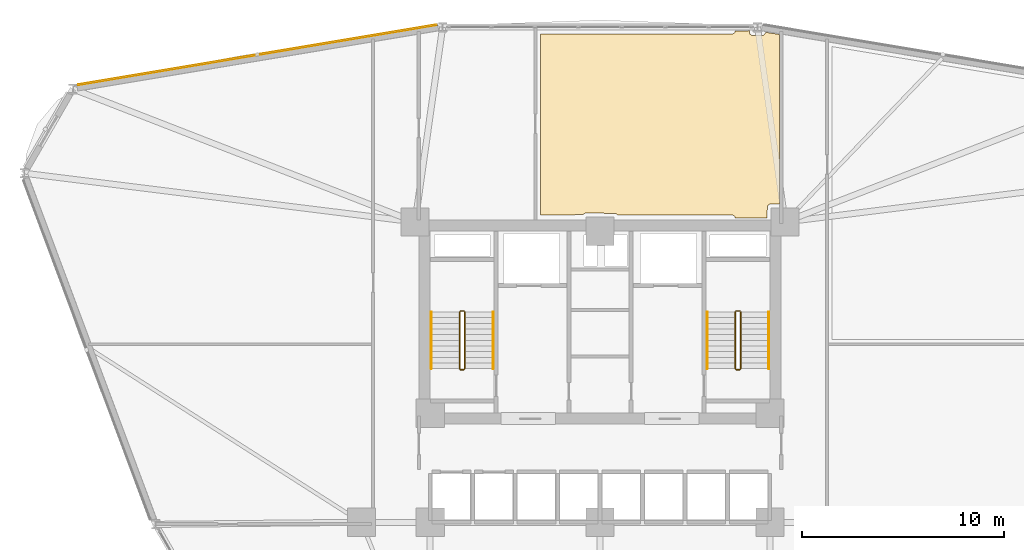
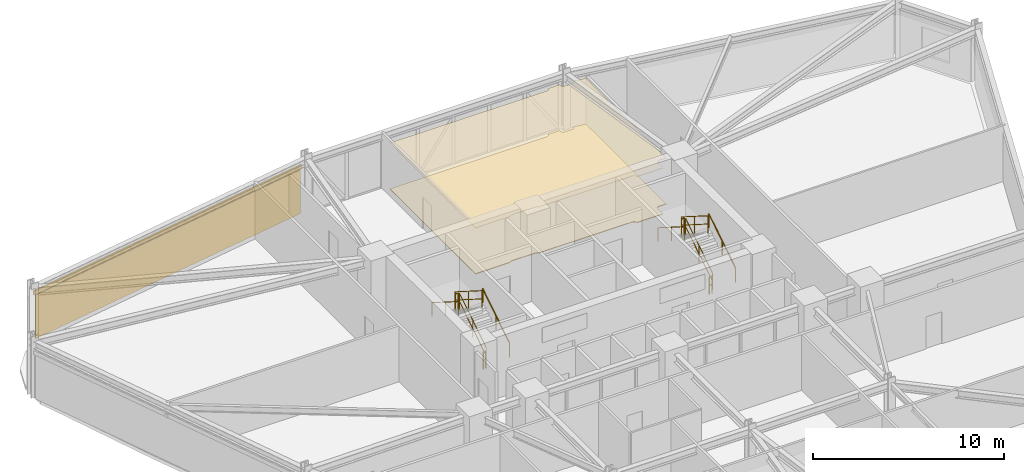
# One storey, part 21 of 22: 12 railings, 3 coverings, 1 shading device.
"""IFC4 building model written with IfcOpenShell, lengths in metres."""

from ifc_helpers import new_model, si_unit, derived_unit, direction, frame, origin, origin_2d, place, context, subcontext, project, spatial, polyline, hollow_rectangle, circle, outline, extrude, source, transform, mapped, material, layer, layer_set, material_profile, profile_set, type_object, element, save


model = new_model("IFC4")

# Units and contexts
model_context = context("Model", 3, precision=1e-05, world=origin(), true_north=direction((0.0, 1.0)))
body_context = subcontext(model_context, "Body", "Model", "MODEL_VIEW")
ifc_project = project(units=[si_unit("LENGTHUNIT", "METRE"), si_unit("AREAUNIT", "SQUARE_METRE"), si_unit("VOLUMEUNIT", "CUBIC_METRE"), si_unit("PLANEANGLEUNIT", "RADIAN"), si_unit("MASSUNIT", "GRAM", prefix="KILO"), derived_unit("THERMALTRANSMITTANCEUNIT", [(si_unit("POWERUNIT", "WATT"), 1), (si_unit("LENGTHUNIT", "METRE"), -2), (si_unit("THERMODYNAMICTEMPERATUREUNIT", "KELVIN"), -1)])], contexts=[model_context])

# Site, building, storey
site_placement = place(None, origin())
site = spatial("IfcSite", under=ifc_project, at=site_placement, CompositionType="ELEMENT")
building_placement = place(site_placement, origin())
building = spatial("IfcBuilding", under=site, at=building_placement, Name="Korsvarv Bourse and Concert Hall", CompositionType="ELEMENT")
storey_placement = place(building_placement, frame((0.0, 0.0, 55.199951171875)))
storey = spatial("IfcBuildingStorey", under=building, at=storey_placement, Name="L13", CompositionType="ELEMENT", Elevation=55.199951171875)

# Coverings
ifc_material_1 = material(Name="Perforated mineral-wool and birch acoustic baffle ceiling", Category="wood")
ifc_layer_1 = layer(ifc_material_1, 0.02490234375)
ifc_layer_set_1 = layer_set([ifc_layer_1], Name="Perforated mineral-wool and birch acoustic baffle ceiling")
covering_type_1 = type_object("IfcCoveringType", Name="COV-CEIL-1", PredefinedType="CEILING", material=ifc_layer_set_1)
covering_1_placement = place(storey_placement, frame((0.0, 0.0, 2.93994140625)))
element("IfcCovering", 1, at=covering_1_placement, inside=storey, type_object=covering_type_1, Name="L13 acoustic baffle ceiling 3", PredefinedType="CEILING", context=body_context, shape_type="SweptSolid", body=[
    extrude(outline(polyline([(33.050048828125, 47.60009765625), (33.050048828125, 56.549560546875), (42.510009765625, 56.549560546875), (42.546142578125, 56.55322265625), (42.5810546875, 56.564208984375), (42.61279296875, 56.581787109375), (42.640380859375, 56.60546875), (42.66259765625, 56.63427734375), (42.6787109375, 56.6669921875), (42.68798828125, 56.7021484375), (43.3828125, 56.70947265625), (43.3828125, 56.652587890625), (43.385986328125, 56.617919921875), (43.39599609375, 56.584716796875), (43.412109375, 56.5537109375), (43.43408203125, 56.526611328125), (43.460693359375, 56.50439453125), (43.490966796875, 56.4873046875), (43.52392578125, 56.476806640625), (43.55859375, 56.472412109375), (43.99267578125, 56.46240234375), (44.027099609375, 56.465087890625), (44.060791015625, 56.474365234375), (44.091796875, 56.48974609375), (44.119384765625, 56.5107421875), (44.142333984375, 56.536865234375), (44.159912109375, 56.56689453125), (44.17138671875, 56.599609375), (44.176513671875, 56.6337890625), (44.870849609375, 56.525146484375), (44.8701171875, 48.139892578125), (44.449951171875, 48.139892578125), (44.415283203125, 48.13671875), (44.381591796875, 48.12646484375), (44.350830078125, 48.110107421875), (44.323486328125, 48.088134765625), (44.30126953125, 48.061279296875), (44.284423828125, 48.03076171875), (44.27392578125, 47.997314453125), (44.27001953125, 47.962646484375), (44.2626953125, 47.43994140625), (42.688720703125, 47.43994140625), (42.68408203125, 47.465087890625), (42.671630859375, 47.499267578125), (42.65234375, 47.5302734375), (42.627197265625, 47.556640625), (42.597412109375, 47.577392578125), (42.56396484375, 47.591796875), (42.5283203125, 47.59912109375), (36.859619140625, 47.60009765625), (36.837646484375, 47.626708984375), (36.810791015625, 47.649169921875), (36.77978515625, 47.666015625), (36.74609375, 47.67626953125), (36.711181640625, 47.679931640625), (35.30126953125, 47.68994140625), (35.266357421875, 47.686767578125), (35.232421875, 47.677001953125), (35.201416015625, 47.66064453125), (35.174072265625, 47.638427734375), (35.1513671875, 47.611572265625), (33.050048828125, 47.60009765625)])), origin(), (0.0, 0.0, 1.0), 0.025146484375),
])
ifc_material_2 = material(Name="Warm iron-oxide extruded terracotta rainscreen tile", Category="ceramic")
ifc_layer_2 = layer(ifc_material_2, 0.044921875)
ifc_layer_set_2 = layer_set([ifc_layer_2], Name="Warm iron-oxide extruded terracotta rainscreen tile")
covering_type_2 = type_object("IfcCoveringType", Name="COV-CLD-TC", PredefinedType="CLADDING", material=ifc_layer_set_2)
covering_2_placement = place(storey_placement, origin())
element("IfcCovering", 2, at=covering_2_placement, inside=storey, type_object=covering_type_2, Name="L13 fluted terracotta cladding panel EW-L13-B04", PredefinedType="CLADDING", context=body_context, shape_type="SweptSolid", body=[
    extrude(outline(polyline([(27.897216796875, 56.97314453125), (10.204345703125, 54.01123046875), (10.197021484375, 54.055419921875), (27.8896484375, 57.017578125), (27.897216796875, 56.97314453125)])), origin(), (0.0, 0.0, 1.0), 2.7900390625),
])
ifc_material_3 = material(Name="Calcium-sulphate raised access trading floor with Nordic oak top", Category="wood")
ifc_layer_3 = layer(ifc_material_3, 0.0400390625)
ifc_layer_set_3 = layer_set([ifc_layer_3], Name="Calcium-sulphate raised access trading floor with Nordic oak top")
covering_type_3 = type_object("IfcCoveringType", Name="COV-FLOR-1", PredefinedType="FLOORING", material=ifc_layer_set_3)
covering_3_placement = place(storey_placement, origin())
element("IfcCovering", 3, at=covering_3_placement, inside=storey, type_object=covering_type_3, Name="L13 raised access oak floor finish 3", PredefinedType="FLOORING", context=body_context, shape_type="SweptSolid", body=[
    extrude(outline(polyline([(33.050048828125, 47.60009765625), (33.050048828125, 56.549560546875), (42.510009765625, 56.549560546875), (42.546142578125, 56.55322265625), (42.5810546875, 56.564208984375), (42.61279296875, 56.581787109375), (42.640380859375, 56.60546875), (42.66259765625, 56.63427734375), (42.6787109375, 56.6669921875), (42.68798828125, 56.7021484375), (43.3828125, 56.70947265625), (43.3828125, 56.652587890625), (43.385986328125, 56.617919921875), (43.39599609375, 56.584716796875), (43.412109375, 56.5537109375), (43.43408203125, 56.526611328125), (43.460693359375, 56.50439453125), (43.490966796875, 56.4873046875), (43.52392578125, 56.476806640625), (43.55859375, 56.472412109375), (43.99267578125, 56.46240234375), (44.027099609375, 56.465087890625), (44.060791015625, 56.474365234375), (44.091796875, 56.48974609375), (44.119384765625, 56.5107421875), (44.142333984375, 56.536865234375), (44.159912109375, 56.56689453125), (44.17138671875, 56.599609375), (44.176513671875, 56.6337890625), (44.870849609375, 56.525146484375), (44.8701171875, 48.139892578125), (44.449951171875, 48.139892578125), (44.415283203125, 48.13671875), (44.381591796875, 48.12646484375), (44.350830078125, 48.110107421875), (44.323486328125, 48.088134765625), (44.30126953125, 48.061279296875), (44.284423828125, 48.03076171875), (44.27392578125, 47.997314453125), (44.27001953125, 47.962646484375), (44.2626953125, 47.43994140625), (42.688720703125, 47.43994140625), (42.68408203125, 47.465087890625), (42.671630859375, 47.499267578125), (42.65234375, 47.5302734375), (42.627197265625, 47.556640625), (42.597412109375, 47.577392578125), (42.56396484375, 47.591796875), (42.5283203125, 47.59912109375), (36.859619140625, 47.60009765625), (36.837646484375, 47.626708984375), (36.810791015625, 47.649169921875), (36.77978515625, 47.666015625), (36.74609375, 47.67626953125), (36.711181640625, 47.679931640625), (35.30126953125, 47.68994140625), (35.266357421875, 47.686767578125), (35.232421875, 47.677001953125), (35.201416015625, 47.66064453125), (35.174072265625, 47.638427734375), (35.1513671875, 47.611572265625), (33.050048828125, 47.60009765625)])), origin(), (0.0, 0.0, 1.0), 0.0400390625),
])

# Railings
ifc_material_4 = material(Name="Painted Steel S355 stair well guardrail", Category="steel")
railing_type_1 = type_object("IfcRailingType", Name="RL-ST-GRD", PredefinedType="GUARDRAIL", material=ifc_material_4)
railing_1_placement = place(storey_placement, frame((29.31005859375, 40.0, 0.17724609375)))
element("IfcRailing", 4, at=railing_1_placement, inside=storey, type_object=railing_type_1, Name="L13 ST-T1 stair guard 1", PredefinedType="GUARDRAIL", context=body_context, shape_type="SweptSolid", body=[
    extrude(circle(Radius=0.02392578125, at=origin_2d()), frame((0.0, 0.0, 1.076171875), z_axis=(0.0, 0.844908973607, 0.534910110503), x_axis=(-1.0, 0.0, 0.0)), (0.0, 0.0, 1.0), 3.31396484375),
    extrude(circle(Radius=0.02392578125, at=origin_2d()), frame((0.0, 0.0, 0.550048828125), z_axis=(0.0, 0.844908973607, 0.534910110503), x_axis=(-1.0, 0.0, 0.0)), (0.0, 0.0, 1.0), 3.31396484375),
    extrude(circle(Radius=0.02099609375, at=origin_2d()), origin(), (0.0, 0.0, 1.0), 1.052001953125),
    extrude(circle(Radius=0.02099609375, at=origin_2d()), frame((0.0, 1.39990234375, 0.88623046875)), (0.0, 0.0, 1.0), 1.052001953125),
    extrude(circle(Radius=0.02099609375, at=origin_2d()), frame((0.0, 2.800048828125, 1.772705078125)), (0.0, 0.0, 1.0), 1.052001953125),
])
railing_2_placement = place(storey_placement, frame((29.260009765625, 42.85009765625, 1.949951171875)))
element("IfcRailing", 5, at=railing_2_placement, inside=storey, type_object=railing_type_1, Name="L13 ST-T1 stair guard 2", PredefinedType="GUARDRAIL", context=body_context, shape_type="SweptSolid", body=[
    extrude(circle(Radius=0.02392578125, at=origin_2d()), frame((0.0, 0.0, 1.076171875), z_axis=(-1.0, 0.0, 0.0), x_axis=(0.0, -1.0, 0.0)), (0.0, 0.0, 1.0), 0.159912109375),
    extrude(circle(Radius=0.02392578125, at=origin_2d()), frame((0.0, 0.0, 0.550048828125), z_axis=(-1.0, 0.0, 0.0), x_axis=(0.0, -1.0, 0.0)), (0.0, 0.0, 1.0), 0.159912109375),
    extrude(circle(Radius=0.02099609375, at=origin_2d()), origin(), (0.0, 0.0, 1.0), 1.052001953125),
    extrude(circle(Radius=0.02099609375, at=origin_2d()), frame((-0.159912109375, 0.0, 0.0)), (0.0, 0.0, 1.0), 1.052001953125),
])
railing_3_placement = place(storey_placement, frame((29.050048828125, 42.800048828125, 2.12744140625)))
element("IfcRailing", 6, at=railing_3_placement, inside=storey, type_object=railing_type_1, Name="L13 ST-T1 stair guard 3", PredefinedType="GUARDRAIL", context=body_context, shape_type="SweptSolid", body=[
    extrude(circle(Radius=0.02392578125, at=origin_2d()), frame((0.0, 0.0, 1.076171875), z_axis=(0.0, -0.844908973607, 0.534910110503), x_axis=(1.0, 0.0, 0.0)), (0.0, 0.0, 1.0), 3.31396484375),
    extrude(circle(Radius=0.02392578125, at=origin_2d()), frame((0.0, 0.0, 0.550048828125), z_axis=(0.0, -0.844908973607, 0.534910110503), x_axis=(1.0, 0.0, 0.0)), (0.0, 0.0, 1.0), 3.31396484375),
    extrude(circle(Radius=0.02099609375, at=origin_2d()), origin(), (0.0, 0.0, 1.0), 1.052001953125),
    extrude(circle(Radius=0.02099609375, at=origin_2d()), frame((0.0, -1.39990234375, 0.88623046875)), (0.0, 0.0, 1.0), 1.052001953125),
    extrude(circle(Radius=0.02099609375, at=origin_2d()), frame((0.0, -2.800048828125, 1.772705078125)), (0.0, 0.0, 1.0), 1.052001953125),
])
railing_4_placement = place(storey_placement, frame((29.260009765625, 39.949951171875, 0.0)))
element("IfcRailing", 7, at=railing_4_placement, inside=storey, type_object=railing_type_1, Name="L13 ST-T1 stair guard 4", PredefinedType="GUARDRAIL", context=body_context, shape_type="SweptSolid", body=[
    extrude(circle(Radius=0.02392578125, at=origin_2d()), frame((0.0, 0.0, 1.076171875), z_axis=(-1.0, 0.0, 0.0), x_axis=(0.0, -1.0, 0.0)), (0.0, 0.0, 1.0), 0.159912109375),
    extrude(circle(Radius=0.02392578125, at=origin_2d()), frame((0.0, 0.0, 0.550048828125), z_axis=(-1.0, 0.0, 0.0), x_axis=(0.0, -1.0, 0.0)), (0.0, 0.0, 1.0), 0.159912109375),
    extrude(circle(Radius=0.02099609375, at=origin_2d()), origin(), (0.0, 0.0, 1.0), 1.052001953125),
    extrude(circle(Radius=0.02099609375, at=origin_2d()), frame((-0.159912109375, 0.0, 0.0)), (0.0, 0.0, 1.0), 1.052001953125),
])
railing_5_placement = place(storey_placement, frame((42.949951171875, 40.0, 0.17724609375)))
element("IfcRailing", 8, at=railing_5_placement, inside=storey, type_object=railing_type_1, Name="L13 ST-T2 stair guard 1", PredefinedType="GUARDRAIL", context=body_context, shape_type="SweptSolid", body=[
    extrude(circle(Radius=0.02392578125, at=origin_2d()), frame((0.0, 0.0, 1.076171875), z_axis=(0.0, 0.844908973607, 0.534910110503), x_axis=(-1.0, 0.0, 0.0)), (0.0, 0.0, 1.0), 3.31396484375),
    extrude(circle(Radius=0.02392578125, at=origin_2d()), frame((0.0, 0.0, 0.550048828125), z_axis=(0.0, 0.844908973607, 0.534910110503), x_axis=(-1.0, 0.0, 0.0)), (0.0, 0.0, 1.0), 3.31396484375),
    extrude(circle(Radius=0.02099609375, at=origin_2d()), origin(), (0.0, 0.0, 1.0), 1.052001953125),
    extrude(circle(Radius=0.02099609375, at=origin_2d()), frame((0.0, 1.39990234375, 0.88623046875)), (0.0, 0.0, 1.0), 1.052001953125),
    extrude(circle(Radius=0.02099609375, at=origin_2d()), frame((0.0, 2.800048828125, 1.772705078125)), (0.0, 0.0, 1.0), 1.052001953125),
])
railing_6_placement = place(storey_placement, frame((42.89990234375, 42.85009765625, 1.949951171875)))
element("IfcRailing", 9, at=railing_6_placement, inside=storey, type_object=railing_type_1, Name="L13 ST-T2 stair guard 2", PredefinedType="GUARDRAIL", context=body_context, shape_type="SweptSolid", body=[
    extrude(circle(Radius=0.02392578125, at=origin_2d()), frame((0.0, 0.0, 1.076171875), z_axis=(-1.0, 0.0, 0.0), x_axis=(0.0, -1.0, 0.0)), (0.0, 0.0, 1.0), 0.159912109375),
    extrude(circle(Radius=0.02392578125, at=origin_2d()), frame((0.0, 0.0, 0.550048828125), z_axis=(-1.0, 0.0, 0.0), x_axis=(0.0, -1.0, 0.0)), (0.0, 0.0, 1.0), 0.159912109375),
    extrude(circle(Radius=0.02099609375, at=origin_2d()), origin(), (0.0, 0.0, 1.0), 1.052001953125),
    extrude(circle(Radius=0.02099609375, at=origin_2d()), frame((-0.159912109375, 0.0, 0.0)), (0.0, 0.0, 1.0), 1.052001953125),
])
railing_7_placement = place(storey_placement, frame((42.68994140625, 42.800048828125, 2.12744140625)))
element("IfcRailing", 10, at=railing_7_placement, inside=storey, type_object=railing_type_1, Name="L13 ST-T2 stair guard 3", PredefinedType="GUARDRAIL", context=body_context, shape_type="SweptSolid", body=[
    extrude(circle(Radius=0.02392578125, at=origin_2d()), frame((0.0, 0.0, 1.076171875), z_axis=(0.0, -0.844908973607, 0.534910110503), x_axis=(1.0, 0.0, 0.0)), (0.0, 0.0, 1.0), 3.31396484375),
    extrude(circle(Radius=0.02392578125, at=origin_2d()), frame((0.0, 0.0, 0.550048828125), z_axis=(0.0, -0.844908973607, 0.534910110503), x_axis=(1.0, 0.0, 0.0)), (0.0, 0.0, 1.0), 3.31396484375),
    extrude(circle(Radius=0.02099609375, at=origin_2d()), origin(), (0.0, 0.0, 1.0), 1.052001953125),
    extrude(circle(Radius=0.02099609375, at=origin_2d()), frame((0.0, -1.39990234375, 0.88623046875)), (0.0, 0.0, 1.0), 1.052001953125),
    extrude(circle(Radius=0.02099609375, at=origin_2d()), frame((0.0, -2.800048828125, 1.772705078125)), (0.0, 0.0, 1.0), 1.052001953125),
])
railing_8_placement = place(storey_placement, frame((42.89990234375, 39.949951171875, 0.0)))
element("IfcRailing", 11, at=railing_8_placement, inside=storey, type_object=railing_type_1, Name="L13 ST-T2 stair guard 4", PredefinedType="GUARDRAIL", context=body_context, shape_type="SweptSolid", body=[
    extrude(circle(Radius=0.02392578125, at=origin_2d()), frame((0.0, 0.0, 1.076171875), z_axis=(-1.0, 0.0, 0.0), x_axis=(0.0, -1.0, 0.0)), (0.0, 0.0, 1.0), 0.159912109375),
    extrude(circle(Radius=0.02392578125, at=origin_2d()), frame((0.0, 0.0, 0.550048828125), z_axis=(-1.0, 0.0, 0.0), x_axis=(0.0, -1.0, 0.0)), (0.0, 0.0, 1.0), 0.159912109375),
    extrude(circle(Radius=0.02099609375, at=origin_2d()), origin(), (0.0, 0.0, 1.0), 1.052001953125),
    extrude(circle(Radius=0.02099609375, at=origin_2d()), frame((-0.159912109375, 0.0, 0.0)), (0.0, 0.0, 1.0), 1.052001953125),
])
ifc_material_5 = material(Name="Brushed stainless Steel S355 tubular handrail", Category="steel")
railing_type_2 = type_object("IfcRailingType", Name="RL-ST-HND", PredefinedType="HANDRAIL", material=ifc_material_5)
railing_9_placement = place(storey_placement, frame((30.7099609375, 40.0, 0.17724609375)))
element("IfcRailing", 12, at=railing_9_placement, inside=storey, type_object=railing_type_2, Name="L13 ST-T1 stair handrail 1", PredefinedType="HANDRAIL", context=body_context, shape_type="SweptSolid", body=[
    extrude(circle(Radius=0.02392578125, at=origin_2d()), frame((0.0, 0.0, 0.8759765625), z_axis=(0.0, 0.844908973607, 0.534910110503), x_axis=(-1.0, 0.0, 0.0)), (0.0, 0.0, 1.0), 3.31396484375),
    extrude(circle(Radius=0.02099609375, at=origin_2d()), origin(), (0.0, 0.0, 1.0), 0.851806640625),
    extrude(circle(Radius=0.02099609375, at=origin_2d()), frame((0.0, 1.39990234375, 0.88623046875)), (0.0, 0.0, 1.0), 0.851806640625),
    extrude(circle(Radius=0.02099609375, at=origin_2d()), frame((0.0, 2.800048828125, 1.772705078125)), (0.0, 0.0, 1.0), 0.851806640625),
])
railing_10_placement = place(storey_placement, frame((27.64990234375, 42.800048828125, 2.12744140625)))
element("IfcRailing", 13, at=railing_10_placement, inside=storey, type_object=railing_type_2, Name="L13 ST-T1 stair handrail 2", PredefinedType="HANDRAIL", context=body_context, shape_type="SweptSolid", body=[
    extrude(circle(Radius=0.02392578125, at=origin_2d()), frame((0.0, 0.0, 0.8759765625), z_axis=(0.0, -0.844908973607, 0.534910110503), x_axis=(1.0, 0.0, 0.0)), (0.0, 0.0, 1.0), 3.31396484375),
    extrude(circle(Radius=0.02099609375, at=origin_2d()), origin(), (0.0, 0.0, 1.0), 0.851806640625),
    extrude(circle(Radius=0.02099609375, at=origin_2d()), frame((0.0, -1.39990234375, 0.88623046875)), (0.0, 0.0, 1.0), 0.851806640625),
    extrude(circle(Radius=0.02099609375, at=origin_2d()), frame((0.0, -2.800048828125, 1.772705078125)), (0.0, 0.0, 1.0), 0.851806640625),
])
railing_11_placement = place(storey_placement, frame((44.35009765625, 40.0, 0.17724609375)))
element("IfcRailing", 14, at=railing_11_placement, inside=storey, type_object=railing_type_2, Name="L13 ST-T2 stair handrail 1", PredefinedType="HANDRAIL", context=body_context, shape_type="SweptSolid", body=[
    extrude(circle(Radius=0.02392578125, at=origin_2d()), frame((0.0, 0.0, 0.8759765625), z_axis=(0.0, 0.844908973607, 0.534910110503), x_axis=(-1.0, 0.0, 0.0)), (0.0, 0.0, 1.0), 3.31396484375),
    extrude(circle(Radius=0.02099609375, at=origin_2d()), origin(), (0.0, 0.0, 1.0), 0.851806640625),
    extrude(circle(Radius=0.02099609375, at=origin_2d()), frame((0.0, 1.39990234375, 0.88623046875)), (0.0, 0.0, 1.0), 0.851806640625),
    extrude(circle(Radius=0.02099609375, at=origin_2d()), frame((0.0, 2.800048828125, 1.772705078125)), (0.0, 0.0, 1.0), 0.851806640625),
])
railing_12_placement = place(storey_placement, frame((41.2900390625, 42.800048828125, 2.12744140625)))
element("IfcRailing", 15, at=railing_12_placement, inside=storey, type_object=railing_type_2, Name="L13 ST-T2 stair handrail 2", PredefinedType="HANDRAIL", context=body_context, shape_type="SweptSolid", body=[
    extrude(circle(Radius=0.02392578125, at=origin_2d()), frame((0.0, 0.0, 0.8759765625), z_axis=(0.0, -0.844908973607, 0.534910110503), x_axis=(1.0, 0.0, 0.0)), (0.0, 0.0, 1.0), 3.31396484375),
    extrude(circle(Radius=0.02099609375, at=origin_2d()), origin(), (0.0, 0.0, 1.0), 0.851806640625),
    extrude(circle(Radius=0.02099609375, at=origin_2d()), frame((0.0, -1.39990234375, 0.88623046875)), (0.0, 0.0, 1.0), 0.851806640625),
    extrude(circle(Radius=0.02099609375, at=origin_2d()), frame((0.0, -2.800048828125, 1.772705078125)), (0.0, 0.0, 1.0), 0.851806640625),
])

# Shading device
ifc_material_6 = material(Name="Glazed extruded architectural terracotta", Category="ceramic")
ifc_material_profile = material_profile(ifc_material_6, hollow_rectangle(XDim=0.090087890625, YDim=0.260009765625, WallThickness=0.011962890625, at=origin_2d()), Name="TC-BAG 90x260")
ifc_profile_set = profile_set([ifc_material_profile], Name="Glazed extruded architectural terracotta")
shading_device_type = type_object("IfcShadingDeviceType", Name="SHD-BAG-1", PredefinedType="USERDEFINED", material=ifc_profile_set)
shared_shape = source(origin(), body_context, "Body", "SweptSolid", [
    extrude(hollow_rectangle(XDim=0.090087890625, YDim=0.260009765625, WallThickness=0.011962890625, at=origin_2d()), origin(), (0.0, 0.0, 1.0), 18.09912109375),
])
shading_device_placement = place(storey_placement, frame((27.969482421875, 57.02587890625, 2.949951171875), z_axis=(-0.986273350987, -0.165120795577, 0.0), x_axis=(0.165120795577, -0.986273350987, 0.0)))
element("IfcShadingDevice", 16, at=shading_device_placement, inside=storey, type_object=shading_device_type, Name="L13 terracotta baguette sunshade EW-L13-B04", ObjectType="BAGUETTE", PredefinedType="USERDEFINED", context=body_context, shape_type="MappedRepresentation", body=[
    mapped(shared_shape, transform((0.0, 0.0, 0.0), scale=1.0)),
])

save(model, "model.ifc")
